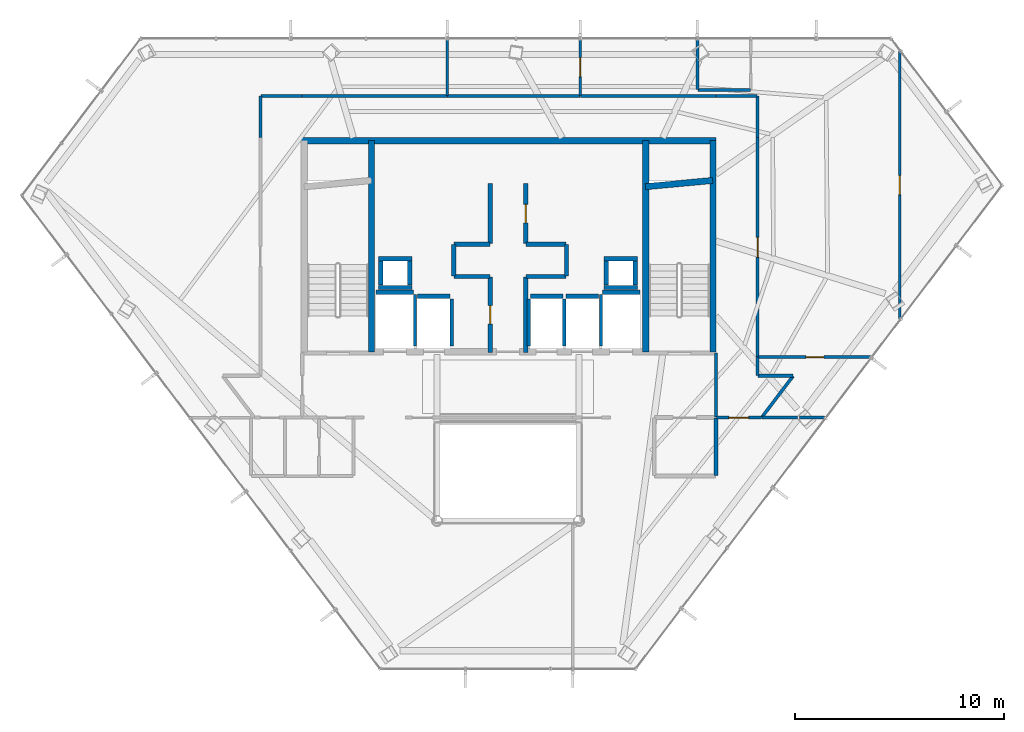
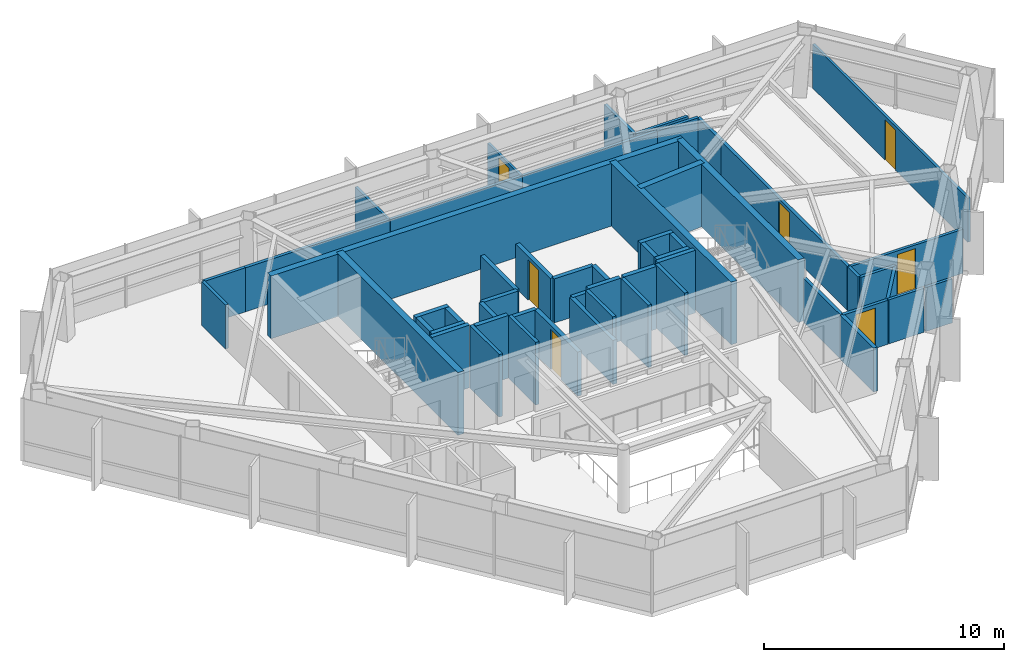
# One storey, part 25 of 27: 55 walls, 7 doors, 7 openings.
"""IFC4 building model written with IfcOpenShell, lengths in metres."""

from ifc_helpers import new_model, si_unit, direction, frame, frame_2d, origin, place, context, subcontext, project, spatial, rectangle, extrude, material, layer, layer_set, type_object, element, fill, save


model = new_model("IFC4")

# Units and contexts
model_context = context("Model", 3, precision=1e-05, world=origin(), true_north=direction((0.0, 1.0)))
body_context = subcontext(model_context, "Body", "Model", "MODEL_VIEW")
ifc_project = project(units=[si_unit("LENGTHUNIT", "METRE"), si_unit("AREAUNIT", "SQUARE_METRE"), si_unit("VOLUMEUNIT", "CUBIC_METRE"), si_unit("PLANEANGLEUNIT", "RADIAN"), si_unit("MASSUNIT", "GRAM", prefix="KILO")], contexts=[model_context])

# Site, building, storey
site_placement = place(None, origin())
site = spatial("IfcSite", under=ifc_project, at=site_placement, CompositionType="ELEMENT")
building_placement = place(site_placement, origin())
building = spatial("IfcBuilding", under=site, at=building_placement, Name="Zarrinselat Tower", CompositionType="ELEMENT")
storey_placement = place(building_placement, frame((0.0, 0.0, 225.760009765625)))
storey = spatial("IfcBuildingStorey", under=building, at=storey_placement, Name="L56", CompositionType="ELEMENT", Elevation=225.760009765625)

# Walls
ifc_material_1 = material(Name="Concrete C40/50", Category="concrete")
ifc_layer_1 = layer(ifc_material_1, 0.18994140625)
ifc_layer_set_1 = layer_set([ifc_layer_1], Name="Concrete C40/50")
wall_type_1 = type_object("IfcWallType", Name="WAL-PART-EI120", PredefinedType="PARTITIONING", material=ifc_layer_set_1)
wall_1_placement = place(storey_placement, frame((48.35009765625, 27.3701171875, 0.0), z_axis=(0.0, 0.0, 1.0), x_axis=(0.0, 1.0, 0.0)))
element("IfcWall", 1, at=wall_1_placement, inside=storey, type_object=wall_type_1, Name="L56 Partition Wall 21", PredefinedType="PARTITIONING", context=body_context, shape_type="SweptSolid", body=[
    extrude(rectangle(XDim=2.759765625, YDim=0.18994140625, at=frame_2d((1.3798828125, 0.0))), origin(), (0.0, 0.0, 1.0), 2.235107421875),
])
ifc_material_2 = material(Name="Fire-Rated Gypsum Board Partition", Category="gypsum")
ifc_layer_2 = layer(ifc_material_2, 0.14990234375)
ifc_layer_set_2 = layer_set([ifc_layer_2], Name="Fire-Rated Gypsum Board Partition")
wall_type_2 = type_object("IfcWallType", Name="WAL-PART-EI60", PredefinedType="PARTITIONING", material=ifc_layer_set_2)
wall_2_placement = place(storey_placement, frame((48.35009765625, 30.169921875, 0.0), z_axis=(0.0, 0.0, 1.0), x_axis=(0.0, 1.0, 0.0)))
element("IfcWall", 2, at=wall_2_placement, inside=storey, type_object=wall_type_2, Name="L56 Partition Wall 13", PredefinedType="PARTITIONING", context=body_context, shape_type="SweptSolid", body=[
    extrude(rectangle(XDim=3.06005859375, YDim=0.14990234375, at=frame_2d((1.530029296875, 0.0))), origin(), (0.0, 0.0, 1.0), 2.235107421875),
])

# Wall, opening, door
wall_3_placement = place(storey_placement, frame((48.3701171875, 30.14990234375, 0.0), z_axis=(0.0, 0.0, 1.0), x_axis=(1.0, 0.0, 0.0)))
wall_3 = element("IfcWall", 3, at=wall_3_placement, inside=storey, type_object=wall_type_2, Name="L56 Partition Wall 24", PredefinedType="PARTITIONING", context=body_context, shape_type="SweptSolid", body=[
    extrude(rectangle(XDim=2.155029296875, YDim=0.14990234375, at=frame_2d((1.07763671875, 0.0))), origin(), (0.0, 0.0, 1.0), 2.235107421875),
])
opening_1_placement = place(wall_3_placement, frame((0.607666015625, 0.0, 0.0)))
opening_1 = element("IfcOpeningElement", 4, at=opening_1_placement, cuts=wall_3, Name="Opening ID-04", PredefinedType="OPENING", context=body_context, shape_type="SweptSolid", body=[
    extrude(rectangle(XDim=0.93994140625, YDim=2.050048828125, at=frame_2d((0.469970703125, 1.02490234375))), frame((0.0, 0.0849609375, 0.0), z_axis=(0.0, -1.0, 0.0), x_axis=(1.0, 0.0, 0.0)), (0.0, 0.0, 1.0), 0.169921875),
])
ifc_material_3 = material(Name="Fire-Rated Gypsum Board Partition")
door_type_1 = type_object("IfcDoorType", Name="DR-INT-FD30-ENT", OperationType="NOTDEFINED", PredefinedType="DOOR", material=ifc_material_3)
door_1_placement = place(opening_1_placement, origin())
door_1 = element("IfcDoor", 5, at=door_1_placement, inside=storey, type_object=door_type_1, Name="L56 Interior Door P24", OperationType="SINGLE_SWING_RIGHT", OverallHeight=2.050048828125, OverallWidth=0.93994140625, PredefinedType="DOOR", context=body_context, shape_type="SweptSolid", body=[
    extrude(rectangle(XDim=0.93994140625, YDim=2.050048828125, at=frame_2d((0.469970703125, 1.02490234375))), frame((0.0, 0.02490234375, 0.0), z_axis=(0.0, -1.0, 0.0), x_axis=(1.0, 0.0, 0.0)), (0.0, 0.0, 1.0), 0.050048828125),
])
fill(opening_1, door_1)

# Walls
for number, where, z_axis, x_axis, name in (
    (6, (26.550048828125, 43.550048828125, 0.0), (0.0, 0.0, 1.0), (0.0, 1.0, 0.0), "L56 Partition Wall 28"),
    (7, (26.570068359375, 45.550048828125, 0.0), (0.0, 0.0, 1.0), (1.0, 0.0, 0.0), "L56 Partition Wall 29"),
):
    element("IfcWall", number, at=place(storey_placement, frame(where, z_axis=z_axis, x_axis=x_axis)), inside=storey, type_object=wall_type_2, Name=name, PredefinedType="PARTITIONING", context=body_context, shape_type="SweptSolid", body=[
        extrude(rectangle(XDim=1.97998046875, YDim=0.14990234375, at=frame_2d((0.989990234375, 0.0))), origin(), (0.0, 0.0, 1.0), 2.235107421875),
    ])
wall_4_placement = place(storey_placement, frame((28.550048828125, 45.550048828125, 0.0), z_axis=(0.0, 0.0, 1.0), x_axis=(1.0, 0.0, 0.0)))
element("IfcWall", 8, at=wall_4_placement, inside=storey, type_object=wall_type_2, Name="L56 Partition Wall 30", PredefinedType="PARTITIONING", context=body_context, shape_type="SweptSolid", body=[
    extrude(rectangle(XDim=6.945068359375, YDim=0.14990234375, at=frame_2d((3.47265625, 0.0))), origin(), (0.0, 0.0, 1.0), 2.235107421875),
])
wall_5_placement = place(storey_placement, frame((41.8603515625, 45.550048828125, 0.0), z_axis=(0.0, 0.0, 1.0), x_axis=(1.0, 0.0, 0.0)))
element("IfcWall", 9, at=wall_5_placement, inside=storey, type_object=wall_type_2, Name="L56 Partition Wall 31", PredefinedType="PARTITIONING", context=body_context, shape_type="SweptSolid", body=[
    extrude(rectangle(XDim=6.48974609375, YDim=0.14990234375, at=frame_2d((3.244873046875, 0.0))), origin(), (0.0, 0.0, 1.0), 2.235107421875),
])
for number, where, z_axis, x_axis, name in (
    (10, (48.35009765625, 45.550048828125, 0.0), (0.0, 0.0, 1.0), (1.0, 0.0, 0.0), "L56 Partition Wall 32"),
    (11, (50.35009765625, 43.550048828125, 0.0), (0.0, 0.0, 1.0), (0.0, 1.0, 0.0), "L56 Partition Wall 33"),
):
    element("IfcWall", number, at=place(storey_placement, frame(where, z_axis=z_axis, x_axis=x_axis)), inside=storey, type_object=wall_type_2, Name=name, PredefinedType="PARTITIONING", context=body_context, shape_type="SweptSolid", body=[
        extrude(rectangle(XDim=1.97998046875, YDim=0.14990234375, at=frame_2d((0.989990234375, 0.0))), origin(), (0.0, 0.0, 1.0), 2.235107421875),
    ])

# Wall, opening, door
wall_6_placement = place(storey_placement, frame((50.35009765625, 33.048583984375, 0.0), z_axis=(0.0, 0.0, 1.0), x_axis=(0.0, 1.0, 0.0)))
wall_6 = element("IfcWall", 12, at=wall_6_placement, inside=storey, type_object=wall_type_2, Name="L56 Partition Wall 34", PredefinedType="PARTITIONING", context=body_context, shape_type="SweptSolid", body=[
    extrude(rectangle(XDim=10.50146484375, YDim=0.14990234375, at=frame_2d((5.250732421875, 0.0))), origin(), (0.0, 0.0, 1.0), 2.235107421875),
])
opening_2_placement = place(wall_6_placement, frame((4.78076171875, 0.0, 0.0)))
opening_2 = element("IfcOpeningElement", 13, at=opening_2_placement, cuts=wall_6, Name="Opening ID-04", PredefinedType="OPENING", context=body_context, shape_type="SweptSolid", body=[
    extrude(rectangle(XDim=0.93994140625, YDim=2.050048828125, at=frame_2d((0.469970703125, 1.02490234375))), frame((0.0, 0.0849609375, 0.0), z_axis=(0.0, -1.0, 0.0), x_axis=(1.0, 0.0, 0.0)), (0.0, 0.0, 1.0), 0.169921875),
])
door_2_placement = place(opening_2_placement, origin())
door_2 = element("IfcDoor", 14, at=door_2_placement, inside=storey, type_object=door_type_1, Name="L56 Interior Door P34", OperationType="SINGLE_SWING_RIGHT", OverallHeight=2.050048828125, OverallWidth=0.93994140625, PredefinedType="DOOR", context=body_context, shape_type="SweptSolid", body=[
    extrude(rectangle(XDim=0.93994140625, YDim=2.050048828125, at=frame_2d((0.469970703125, 1.02490234375))), frame((0.0, 0.02490234375, 0.0), z_axis=(0.0, -1.0, 0.0), x_axis=(1.0, 0.0, 0.0)), (0.0, 0.0, 1.0), 0.050048828125),
])
fill(opening_2, door_2)

# Walls
wall_7_placement = place(storey_placement, frame((50.35009765625, 32.169921875, 0.0), z_axis=(0.0, 0.0, 1.0), x_axis=(0.0, 1.0, 0.0)))
element("IfcWall", 15, at=wall_7_placement, inside=storey, type_object=wall_type_2, Name="L56 Partition Wall 35", PredefinedType="PARTITIONING", context=body_context, shape_type="SweptSolid", body=[
    extrude(rectangle(XDim=0.86865234375, YDim=0.14990234375, at=frame_2d((0.434326171875, 0.0))), origin(), (0.0, 0.0, 1.0), 2.235107421875),
])
wall_8_placement = place(storey_placement, frame((50.3701171875, 32.14990234375, 0.0), z_axis=(0.0, 0.0, 1.0), x_axis=(1.0, 0.0, 0.0)))
element("IfcWall", 16, at=wall_8_placement, inside=storey, type_object=wall_type_2, Name="L56 Partition Wall 36", PredefinedType="PARTITIONING", context=body_context, shape_type="SweptSolid", body=[
    extrude(rectangle(XDim=1.665283203125, YDim=0.14990234375, at=frame_2d((0.83251953125, 0.0))), origin(), (0.0, 0.0, 1.0), 2.235107421875),
])
wall_9_placement = place(storey_placement, frame((50.55224609375, 30.166015625, 0.0), z_axis=(0.0, 0.0, 1.0), x_axis=(0.603869110647, 0.797083494502, 0.0)))
element("IfcWall", 17, at=wall_9_placement, inside=storey, type_object=wall_type_2, Name="L56 Partition Wall 37", PredefinedType="PARTITIONING", context=body_context, shape_type="SweptSolid", body=[
    extrude(rectangle(XDim=2.468994140625, YDim=0.14990234375, at=frame_2d((1.234375, 0.0))), origin(), (0.0, 0.0, 1.0), 2.235107421875),
])
wall_10_placement = place(storey_placement, frame((35.5048828125, 45.550048828125, 0.0), z_axis=(0.0, 0.0, 1.0), x_axis=(1.0, 0.0, 0.0)))
element("IfcWall", 18, at=wall_10_placement, inside=storey, type_object=wall_type_2, Name="L56 Partition Wall 38", PredefinedType="PARTITIONING", context=body_context, shape_type="SweptSolid", body=[
    extrude(rectangle(XDim=6.345458984375, YDim=0.14990234375, at=frame_2d((3.1728515625, 0.0))), origin(), (0.0, 0.0, 1.0), 2.235107421875),
])

# Wall, opening, door
ifc_material_4 = material(Name="Concrete C40/50", Category="concrete")
ifc_layer_3 = layer(ifc_material_4, 0.199951171875)
ifc_layer_set_3 = layer_set([ifc_layer_3], Name="Concrete C40/50")
wall_type_3 = type_object("IfcWallType", Name="WAL-PART-PLANT", PredefinedType="PARTITIONING", material=ifc_layer_set_3)
wall_11_placement = place(storey_placement, frame((37.550048828125, 33.264892578125, 0.0), z_axis=(0.0, 0.0, 1.0), x_axis=(0.0, 1.0, 0.0)))
wall_11 = element("IfcWall", 19, at=wall_11_placement, inside=storey, type_object=wall_type_3, Name="L56 Partition Wall 1", PredefinedType="PARTITIONING", context=body_context, shape_type="SweptSolid", body=[
    extrude(rectangle(XDim=3.614990234375, YDim=0.199951171875, at=frame_2d((1.8076171875, 0.0))), origin(), (0.0, 0.0, 1.0), 2.235107421875),
])
opening_3_placement = place(wall_11_placement, frame((1.367431640625, 0.0, 0.0)))
opening_3 = element("IfcOpeningElement", 20, at=opening_3_placement, cuts=wall_11, Name="Opening ID-03", PredefinedType="OPENING", context=body_context, shape_type="SweptSolid", body=[
    extrude(rectangle(XDim=0.8798828125, YDim=2.050048828125, at=frame_2d((0.43994140625, 1.02490234375))), frame((0.0, 0.10986328125, 0.0), z_axis=(0.0, -1.0, 0.0), x_axis=(1.0, 0.0, 0.0)), (0.0, 0.0, 1.0), 0.219970703125),
])
ifc_material_5 = material(Name="Steel S355J2", Category="steel")
door_type_2 = type_object("IfcDoorType", Name="DR-INT-FD60-S", OperationType="NOTDEFINED", PredefinedType="DOOR", material=ifc_material_5)
door_3_placement = place(opening_3_placement, origin())
door_3 = element("IfcDoor", 21, at=door_3_placement, inside=storey, type_object=door_type_2, Name="L56 Interior Door P1", OperationType="SINGLE_SWING_RIGHT", OverallHeight=2.050048828125, OverallWidth=0.8798828125, PredefinedType="DOOR", context=body_context, shape_type="SweptSolid", body=[
    extrude(rectangle(XDim=0.8798828125, YDim=2.050048828125, at=frame_2d((0.43994140625, 1.02490234375))), frame((0.0, 0.02490234375, 0.0), z_axis=(0.0, -1.0, 0.0), x_axis=(1.0, 0.0, 0.0)), (0.0, 0.0, 1.0), 0.050048828125),
])
fill(opening_3, door_3)

# Walls
wall_12_placement = place(storey_placement, frame((35.820068359375, 36.89990234375, 0.0), z_axis=(0.0, 0.0, 1.0), x_axis=(1.0, 0.0, 0.0)))
element("IfcWall", 22, at=wall_12_placement, inside=storey, type_object=wall_type_3, Name="L56 Partition Wall 2", PredefinedType="PARTITIONING", context=body_context, shape_type="SweptSolid", body=[
    extrude(rectangle(XDim=1.7099609375, YDim=0.199951171875, at=frame_2d((0.85498046875, 0.0))), origin(), (0.0, 0.0, 1.0), 2.235107421875),
])
wall_13_placement = place(storey_placement, frame((35.800048828125, 36.919921875, 0.0), z_axis=(0.0, 0.0, 1.0), x_axis=(0.0, 1.0, 0.0)))
element("IfcWall", 23, at=wall_13_placement, inside=storey, type_object=wall_type_3, Name="L56 Partition Wall 3", PredefinedType="PARTITIONING", context=body_context, shape_type="SweptSolid", body=[
    extrude(rectangle(XDim=1.510009765625, YDim=0.199951171875, at=frame_2d((0.7548828125, 0.0))), origin(), (0.0, 0.0, 1.0), 2.235107421875),
])
wall_14_placement = place(storey_placement, frame((35.820068359375, 38.449951171875, 0.0), z_axis=(0.0, 0.0, 1.0), x_axis=(1.0, 0.0, 0.0)))
element("IfcWall", 24, at=wall_14_placement, inside=storey, type_object=wall_type_3, Name="L56 Partition Wall 4", PredefinedType="PARTITIONING", context=body_context, shape_type="SweptSolid", body=[
    extrude(rectangle(XDim=1.7099609375, YDim=0.199951171875, at=frame_2d((0.85498046875, 0.0))), origin(), (0.0, 0.0, 1.0), 2.235107421875),
])
wall_15_placement = place(storey_placement, frame((37.550048828125, 38.469970703125, 0.0), z_axis=(0.0, 0.0, 1.0), x_axis=(0.0, 1.0, 0.0)))
element("IfcWall", 25, at=wall_15_placement, inside=storey, type_object=wall_type_3, Name="L56 Partition Wall 5", PredefinedType="PARTITIONING", context=body_context, shape_type="SweptSolid", body=[
    extrude(rectangle(XDim=2.880126953125, YDim=0.199951171875, at=frame_2d((1.43994140625, 0.0))), origin(), (0.0, 0.0, 1.0), 2.235107421875),
])

# Wall, opening, door
wall_16_placement = place(storey_placement, frame((39.25, 38.469970703125, 0.0), z_axis=(0.0, 0.0, 1.0), x_axis=(0.0, 1.0, 0.0)))
wall_16 = element("IfcWall", 26, at=wall_16_placement, inside=storey, type_object=wall_type_3, Name="L56 Partition Wall 6", PredefinedType="PARTITIONING", context=body_context, shape_type="SweptSolid", body=[
    extrude(rectangle(XDim=2.880126953125, YDim=0.199951171875, at=frame_2d((1.43994140625, 0.0))), origin(), (0.0, 0.0, 1.0), 2.235107421875),
])
opening_4_placement = place(wall_16_placement, frame((1.0, 0.0, 0.0)))
opening_4 = element("IfcOpeningElement", 27, at=opening_4_placement, cuts=wall_16, Name="Opening ID-03", PredefinedType="OPENING", context=body_context, shape_type="SweptSolid", body=[
    extrude(rectangle(XDim=0.8798828125, YDim=2.050048828125, at=frame_2d((0.43994140625, 1.02490234375))), frame((0.0, 0.10986328125, 0.0), z_axis=(0.0, -1.0, 0.0), x_axis=(1.0, 0.0, 0.0)), (0.0, 0.0, 1.0), 0.219970703125),
])
door_4_placement = place(opening_4_placement, origin())
door_4 = element("IfcDoor", 28, at=door_4_placement, inside=storey, type_object=door_type_2, Name="L56 Interior Door P6", OperationType="SINGLE_SWING_LEFT", OverallHeight=2.050048828125, OverallWidth=0.8798828125, PredefinedType="DOOR", context=body_context, shape_type="SweptSolid", body=[
    extrude(rectangle(XDim=0.8798828125, YDim=2.050048828125, at=frame_2d((0.43994140625, 1.02490234375))), frame((0.0, 0.02490234375, 0.0), z_axis=(0.0, -1.0, 0.0), x_axis=(1.0, 0.0, 0.0)), (0.0, 0.0, 1.0), 0.050048828125),
])
fill(opening_4, door_4)

# Walls
wall_17_placement = place(storey_placement, frame((39.27001953125, 38.449951171875, 0.0), z_axis=(0.0, 0.0, 1.0), x_axis=(1.0, 0.0, 0.0)))
element("IfcWall", 29, at=wall_17_placement, inside=storey, type_object=wall_type_3, Name="L56 Partition Wall 7", PredefinedType="PARTITIONING", context=body_context, shape_type="SweptSolid", body=[
    extrude(rectangle(XDim=1.909912109375, YDim=0.199951171875, at=frame_2d((0.955078125, 0.0))), origin(), (0.0, 0.0, 1.0), 2.235107421875),
])
wall_18_placement = place(storey_placement, frame((41.199951171875, 36.919921875, 0.0), z_axis=(0.0, 0.0, 1.0), x_axis=(0.0, 1.0, 0.0)))
element("IfcWall", 30, at=wall_18_placement, inside=storey, type_object=wall_type_3, Name="L56 Partition Wall 8", PredefinedType="PARTITIONING", context=body_context, shape_type="SweptSolid", body=[
    extrude(rectangle(XDim=1.510009765625, YDim=0.199951171875, at=frame_2d((0.7548828125, 0.0))), origin(), (0.0, 0.0, 1.0), 2.235107421875),
])
wall_19_placement = place(storey_placement, frame((39.27001953125, 36.89990234375, 0.0), z_axis=(0.0, 0.0, 1.0), x_axis=(1.0, 0.0, 0.0)))
element("IfcWall", 31, at=wall_19_placement, inside=storey, type_object=wall_type_3, Name="L56 Partition Wall 9", PredefinedType="PARTITIONING", context=body_context, shape_type="SweptSolid", body=[
    extrude(rectangle(XDim=1.909912109375, YDim=0.199951171875, at=frame_2d((0.955078125, 0.0))), origin(), (0.0, 0.0, 1.0), 2.235107421875),
])
wall_20_placement = place(storey_placement, frame((39.25, 33.264892578125, 0.0), z_axis=(0.0, 0.0, 1.0), x_axis=(0.0, 1.0, 0.0)))
element("IfcWall", 32, at=wall_20_placement, inside=storey, type_object=wall_type_3, Name="L56 Partition Wall 10", PredefinedType="PARTITIONING", context=body_context, shape_type="SweptSolid", body=[
    extrude(rectangle(XDim=3.614990234375, YDim=0.199951171875, at=frame_2d((1.8076171875, 0.0))), origin(), (0.0, 0.0, 1.0), 2.235107421875),
])
ifc_material_6 = material(Name="Fire-Rated Gypsum Board Partition", Category="gypsum")
ifc_layer_4 = layer(ifc_material_6, 0.1201171875)
ifc_layer_set_4 = layer_set([ifc_layer_4], Name="Fire-Rated Gypsum Board Partition")
wall_type_4 = type_object("IfcWallType", Name="WAL-PART-STD", PredefinedType="PARTITIONING", material=ifc_layer_set_4)
wall_21_placement = place(storey_placement, frame((35.5, 45.570068359375, 0.0), z_axis=(0.0, 0.0, 1.0), x_axis=(0.0, 1.0, 0.0)))
element("IfcWall", 33, at=wall_21_placement, inside=storey, type_object=wall_type_4, Name="L56 Partition Wall 51", PredefinedType="PARTITIONING", context=body_context, shape_type="SweptSolid", body=[
    extrude(rectangle(XDim=2.709228515625, YDim=0.1201171875, at=frame_2d((1.3544921875, 0.0))), origin(), (0.0, 0.0, 1.0), 2.235107421875),
])

# Wall, opening, door
wall_22_placement = place(storey_placement, frame((41.855224609375, 45.570068359375, 0.0), z_axis=(0.0, 0.0, 1.0), x_axis=(0.0, 1.0, 0.0)))
wall_22 = element("IfcWall", 34, at=wall_22_placement, inside=storey, type_object=wall_type_4, Name="L56 Partition Wall 56", PredefinedType="PARTITIONING", context=body_context, shape_type="SweptSolid", body=[
    extrude(rectangle(XDim=2.709228515625, YDim=0.1201171875, at=frame_2d((1.3544921875, 0.0))), origin(), (0.0, 0.0, 1.0), 2.235107421875),
])
opening_5_placement = place(wall_22_placement, frame((0.90478515625, 0.0, 0.0)))
opening_5 = element("IfcOpeningElement", 35, at=opening_5_placement, cuts=wall_22, Name="Opening ID-05", PredefinedType="OPENING", context=body_context, shape_type="SweptSolid", body=[
    extrude(rectangle(XDim=0.89990234375, YDim=2.050048828125, at=frame_2d((0.449951171875, 1.02490234375))), frame((0.0, 0.070068359375, 0.0), z_axis=(0.0, -1.0, 0.0), x_axis=(1.0, 0.0, 0.0)), (0.0, 0.0, 1.0), 0.14013671875),
])
ifc_material_7 = material(Name="Extruded Aluminium Alloy EN AW-6063 T6", Category="aluminium")
door_type_3 = type_object("IfcDoorType", Name="DR-INT-STD-920", OperationType="NOTDEFINED", PredefinedType="DOOR", material=ifc_material_7)
door_5_placement = place(opening_5_placement, origin())
door_5 = element("IfcDoor", 36, at=door_5_placement, inside=storey, type_object=door_type_3, Name="L56 Interior Door P56", OperationType="SINGLE_SWING_RIGHT", OverallHeight=2.050048828125, OverallWidth=0.89990234375, PredefinedType="DOOR", context=body_context, shape_type="SweptSolid", body=[
    extrude(rectangle(XDim=0.89990234375, YDim=2.050048828125, at=frame_2d((0.449951171875, 1.02490234375))), frame((0.0, 0.02490234375, 0.0), z_axis=(0.0, -1.0, 0.0), x_axis=(1.0, 0.0, 0.0)), (0.0, 0.0, 1.0), 0.050048828125),
])
fill(opening_5, door_5)

wall_23_placement = place(storey_placement, frame((57.150390625, 34.81689453125, 0.0), z_axis=(0.0, 0.0, 1.0), x_axis=(0.0, 1.0, 0.0)))
wall_23 = element("IfcWall", 37, at=wall_23_placement, inside=storey, type_object=wall_type_4, Name="L56 Partition Wall 57", PredefinedType="PARTITIONING", context=body_context, shape_type="SweptSolid", body=[
    extrude(rectangle(XDim=12.919921875, YDim=0.1201171875, at=frame_2d((6.4599609375, 0.0))), origin(), (0.0, 0.0, 1.0), 2.235107421875),
])
opening_6_placement = place(wall_23_placement, frame((6.010009765625, 0.0, 0.0)))
opening_6 = element("IfcOpeningElement", 38, at=opening_6_placement, cuts=wall_23, Name="Opening ID-05", PredefinedType="OPENING", context=body_context, shape_type="SweptSolid", body=[
    extrude(rectangle(XDim=0.89990234375, YDim=2.050048828125, at=frame_2d((0.449951171875, 1.02490234375))), frame((0.0, 0.070068359375, 0.0), z_axis=(0.0, -1.0, 0.0), x_axis=(1.0, 0.0, 0.0)), (0.0, 0.0, 1.0), 0.14013671875),
])
door_6_placement = place(opening_6_placement, origin())
door_6 = element("IfcDoor", 39, at=door_6_placement, inside=storey, type_object=door_type_3, Name="L56 Interior Door P57", OperationType="SINGLE_SWING_LEFT", OverallHeight=2.050048828125, OverallWidth=0.89990234375, PredefinedType="DOOR", context=body_context, shape_type="SweptSolid", body=[
    extrude(rectangle(XDim=0.89990234375, YDim=2.050048828125, at=frame_2d((0.449951171875, 1.02490234375))), frame((0.0, 0.02490234375, 0.0), z_axis=(0.0, -1.0, 0.0), x_axis=(1.0, 0.0, 0.0)), (0.0, 0.0, 1.0), 0.050048828125),
])
fill(opening_6, door_6)

# Walls
ifc_material_8 = material(Name="Fire-Rated Gypsum Board Partition", Category="gypsum")
ifc_layer_5 = layer(ifc_material_8, 0.135009765625)
ifc_layer_set_5 = layer_set([ifc_layer_5], Name="Fire-Rated Gypsum Board Partition")
wall_type_5 = type_object("IfcWallType", Name="WAL-PART-WET", PredefinedType="PARTITIONING", material=ifc_layer_set_5)
wall_24_placement = place(storey_placement, frame((50.560302734375, 30.14990234375, 0.0), z_axis=(0.0, 0.0, 1.0), x_axis=(1.0, 0.0, 0.0)))
element("IfcWall", 40, at=wall_24_placement, inside=storey, type_object=wall_type_5, Name="L56 Partition Wall 49", PredefinedType="PARTITIONING", context=body_context, shape_type="SweptSolid", body=[
    extrude(rectangle(XDim=1.69091796875, YDim=0.135009765625, at=frame_2d((0.845458984375, 0.0))), origin(), (0.0, 0.0, 1.0), 2.235107421875),
])
wall_25_placement = place(storey_placement, frame((52.348876953125, 30.14990234375, 0.0), z_axis=(0.0, 0.0, 1.0), x_axis=(1.0, 0.0, 0.0)))
element("IfcWall", 41, at=wall_25_placement, inside=storey, type_object=wall_type_5, Name="L56 Partition Wall 50", PredefinedType="PARTITIONING", context=body_context, shape_type="SweptSolid", body=[
    extrude(rectangle(XDim=1.262451171875, YDim=0.135009765625, at=frame_2d((0.63134765625, 0.0))), origin(), (0.0, 0.0, 1.0), 2.235107421875),
])

# Wall, opening, door
wall_26_placement = place(storey_placement, frame((50.3701171875, 33.04345703125, 0.0), z_axis=(0.0, 0.0, 1.0), x_axis=(1.0, 0.0, 0.0)))
wall_26 = element("IfcWall", 42, at=wall_26_placement, inside=storey, type_object=wall_type_5, Name="L56 Partition Wall 52", PredefinedType="PARTITIONING", context=body_context, shape_type="SweptSolid", body=[
    extrude(rectangle(XDim=5.433349609375, YDim=0.135009765625, at=frame_2d((2.716796875, 0.0))), origin(), (0.0, 0.0, 1.0), 2.235107421875),
])
opening_7_placement = place(wall_26_placement, frame((2.28662109375, 0.0, 0.0)))
opening_7 = element("IfcOpeningElement", 43, at=opening_7_placement, cuts=wall_26, Name="Opening ID-06", PredefinedType="OPENING", context=body_context, shape_type="SweptSolid", body=[
    extrude(rectangle(XDim=0.860107421875, YDim=2.050048828125, at=frame_2d((0.43017578125, 1.02490234375))), frame((0.0, 0.077392578125, 0.0), z_axis=(0.0, -1.0, 0.0), x_axis=(1.0, 0.0, 0.0)), (0.0, 0.0, 1.0), 0.155029296875),
])
ifc_material_9 = material(Name="Extruded Aluminium Alloy EN AW-6063 T6", Category="aluminium")
door_type_4 = type_object("IfcDoorType", Name="DR-INT-WET-900", OperationType="NOTDEFINED", PredefinedType="DOOR", material=ifc_material_9)
door_7_placement = place(opening_7_placement, origin())
door_7 = element("IfcDoor", 44, at=door_7_placement, inside=storey, type_object=door_type_4, Name="L56 Interior Door P52", OperationType="SINGLE_SWING_RIGHT", OverallHeight=2.050048828125, OverallWidth=0.860107421875, PredefinedType="DOOR", context=body_context, shape_type="SweptSolid", body=[
    extrude(rectangle(XDim=0.860107421875, YDim=2.050048828125, at=frame_2d((0.43017578125, 1.02490234375))), frame((0.0, 0.02490234375, 0.0), z_axis=(0.0, -1.0, 0.0), x_axis=(1.0, 0.0, 0.0)), (0.0, 0.0, 1.0), 0.050048828125),
])
fill(opening_7, door_7)

# Walls
wall_27_placement = place(storey_placement, frame((47.46533203125, 45.8544921875, 0.0), z_axis=(0.0, 0.0, 1.0), x_axis=(0.0, 1.0, 0.0)))
element("IfcWall", 45, at=wall_27_placement, inside=storey, type_object=wall_type_5, Name="L56 Partition Wall 53", PredefinedType="PARTITIONING", context=body_context, shape_type="SweptSolid", body=[
    extrude(rectangle(XDim=2.4248046875, YDim=0.135009765625, at=frame_2d((1.21240234375, 0.0))), origin(), (0.0, 0.0, 1.0), 2.235107421875),
])
wall_28_placement = place(storey_placement, frame((47.4853515625, 45.83447265625, 0.0), z_axis=(0.0, 0.0, 1.0), x_axis=(1.0, 0.0, 0.0)))
element("IfcWall", 46, at=wall_28_placement, inside=storey, type_object=wall_type_5, Name="L56 Partition Wall 54", PredefinedType="PARTITIONING", context=body_context, shape_type="SweptSolid", body=[
    extrude(rectangle(XDim=2.510009765625, YDim=0.135009765625, at=frame_2d((1.2548828125, 0.0))), origin(), (0.0, 0.0, 1.0), 2.235107421875),
])
ifc_material_10 = material(Name="Concrete C40/50", Category="concrete")
ifc_layer_6 = layer(ifc_material_10, 0.2099609375)
ifc_layer_set_6 = layer_set([ifc_layer_6], Name="Concrete C40/50")
wall_type_6 = type_object("IfcWallType", Name="WAL-SHAFT-210", PredefinedType="SOLIDWALL", material=ifc_layer_set_6)
wall_29_placement = place(storey_placement, frame((32.080078125, 36.155029296875, 0.0), z_axis=(0.0, 0.0, 1.0), x_axis=(1.0, 0.0, 0.0)))
element("IfcWall", 47, at=wall_29_placement, inside=storey, type_object=wall_type_6, Name="L56 Lift FFL1 North Shaft Wall", PredefinedType="SOLIDWALL", context=body_context, shape_type="SweptSolid", body=[
    extrude(rectangle(XDim=1.7998046875, YDim=0.2099609375, at=frame_2d((0.89990234375, 0.0))), origin(), (0.0, 0.0, 1.0), 3.179931640625),
])
wall_30_placement = place(storey_placement, frame((33.949951171875, 33.580078125, 0.0), z_axis=(0.0, 0.0, 1.0), x_axis=(0.0, 1.0, 0.0)))
element("IfcWall", 48, at=wall_30_placement, inside=storey, type_object=wall_type_6, Name="L56 Lift FFL1 E Shaft Wall", PredefinedType="SOLIDWALL", context=body_context, shape_type="SweptSolid", body=[
    extrude(rectangle(XDim=2.449951171875, YDim=0.159912109375, at=frame_2d((1.22509765625, 0.0))), origin(), (0.0, 0.0, 1.0), 3.179931640625),
])
wall_31_placement = place(storey_placement, frame((42.919921875, 36.155029296875, 0.0), z_axis=(0.0, 0.0, 1.0), x_axis=(1.0, 0.0, 0.0)))
element("IfcWall", 49, at=wall_31_placement, inside=storey, type_object=wall_type_6, Name="L56 Lift FFL2 North Shaft Wall", PredefinedType="SOLIDWALL", context=body_context, shape_type="SweptSolid", body=[
    extrude(rectangle(XDim=1.800048828125, YDim=0.2099609375, at=frame_2d((0.89990234375, 0.0))), origin(), (0.0, 0.0, 1.0), 3.179931640625),
])
wall_32_placement = place(storey_placement, frame((42.85009765625, 33.580078125, 0.0), z_axis=(0.0, 0.0, 1.0), x_axis=(0.0, 1.0, 0.0)))
element("IfcWall", 50, at=wall_32_placement, inside=storey, type_object=wall_type_6, Name="L56 Lift FFL2 W Shaft Wall", PredefinedType="SOLIDWALL", context=body_context, shape_type="SweptSolid", body=[
    extrude(rectangle(XDim=2.449951171875, YDim=0.159912109375, at=frame_2d((1.22509765625, 0.0))), origin(), (0.0, 0.0, 1.0), 3.179931640625),
])
wall_33_placement = place(storey_placement, frame((39.469970703125, 35.955078125, 0.0), z_axis=(0.0, 0.0, 1.0), x_axis=(1.0, 0.0, 0.0)))
element("IfcWall", 51, at=wall_33_placement, inside=storey, type_object=wall_type_6, Name="L56 Lift PL8 North Shaft Wall", PredefinedType="SOLIDWALL", context=body_context, shape_type="SweptSolid", body=[
    extrude(rectangle(XDim=1.56005859375, YDim=0.2099609375, at=frame_2d((0.780029296875, 0.0))), origin(), (0.0, 0.0, 1.0), 3.179931640625),
])
for number, where, z_axis, x_axis, name in (
    (52, (39.39990234375, 33.580078125, 0.0), (0.0, 0.0, 1.0), (0.0, 1.0, 0.0), "L56 Lift PL8 W Shaft Wall"),
    (53, (41.10009765625, 33.580078125, 0.0), (0.0, 0.0, 1.0), (0.0, 1.0, 0.0), "L56 Lift PL8 E Shaft Wall"),
):
    element("IfcWall", number, at=place(storey_placement, frame(where, z_axis=z_axis, x_axis=x_axis)), inside=storey, type_object=wall_type_6, Name=name, PredefinedType="SOLIDWALL", context=body_context, shape_type="SweptSolid", body=[
        extrude(rectangle(XDim=2.25, YDim=0.159912109375, at=frame_2d((1.125, 0.0))), origin(), (0.0, 0.0, 1.0), 3.179931640625),
    ])
wall_34_placement = place(storey_placement, frame((41.169921875, 35.955078125, 0.0), z_axis=(0.0, 0.0, 1.0), x_axis=(1.0, 0.0, 0.0)))
element("IfcWall", 54, at=wall_34_placement, inside=storey, type_object=wall_type_6, Name="L56 Lift PL9 North Shaft Wall", PredefinedType="SOLIDWALL", context=body_context, shape_type="SweptSolid", body=[
    extrude(rectangle(XDim=1.56005859375, YDim=0.2099609375, at=frame_2d((0.780029296875, 0.0))), origin(), (0.0, 0.0, 1.0), 3.179931640625),
])
wall_35_placement = place(storey_placement, frame((34.070068359375, 35.955078125, 0.0), z_axis=(0.0, 0.0, 1.0), x_axis=(1.0, 0.0, 0.0)))
element("IfcWall", 55, at=wall_35_placement, inside=storey, type_object=wall_type_6, Name="L56 Lift PL10 North Shaft Wall", PredefinedType="SOLIDWALL", context=body_context, shape_type="SweptSolid", body=[
    extrude(rectangle(XDim=1.559814453125, YDim=0.2099609375, at=frame_2d((0.77978515625, 0.0))), origin(), (0.0, 0.0, 1.0), 3.179931640625),
])
wall_36_placement = place(storey_placement, frame((35.699951171875, 33.580078125, 0.0), z_axis=(0.0, 0.0, 1.0), x_axis=(0.0, 1.0, 0.0)))
element("IfcWall", 56, at=wall_36_placement, inside=storey, type_object=wall_type_6, Name="L56 Lift PL10 E Shaft Wall", PredefinedType="SOLIDWALL", context=body_context, shape_type="SweptSolid", body=[
    extrude(rectangle(XDim=2.25, YDim=0.159912109375, at=frame_2d((1.125, 0.0))), origin(), (0.0, 0.0, 1.0), 3.179931640625),
])
for number, where, z_axis, x_axis, name in (
    (57, (32.2099609375, 36.375, 0.0), (0.0, 0.0, 1.0), (1.0, 0.0, 0.0), "L56 Core Riser RSR-W S Shaft Wall"),
    (58, (32.2099609375, 37.7451171875, 0.0), (0.0, 0.0, 1.0), (1.0, 0.0, 0.0), "L56 Core Riser RSR-W N Shaft Wall"),
):
    element("IfcWall", number, at=place(storey_placement, frame(where, z_axis=z_axis, x_axis=x_axis)), inside=storey, type_object=wall_type_6, Name=name, PredefinedType="SOLIDWALL", context=body_context, shape_type="SweptSolid", body=[
        extrude(rectangle(XDim=1.60009765625, YDim=0.2099609375, at=frame_2d((0.800048828125, 0.0))), origin(), (0.0, 0.0, 1.0), 3.179931640625),
    ])
for number, where, z_axis, x_axis, name in (
    (59, (32.31494140625, 36.485107421875, 0.0), (0.0, 0.0, 1.0), (0.0, 1.0, 0.0), "L56 Core Riser RSR-W W Shaft Wall"),
    (60, (33.705078125, 36.485107421875, 0.0), (0.0, 0.0, 1.0), (0.0, 1.0, 0.0), "L56 Core Riser RSR-W E Shaft Wall"),
):
    element("IfcWall", number, at=place(storey_placement, frame(where, z_axis=z_axis, x_axis=x_axis)), inside=storey, type_object=wall_type_6, Name=name, PredefinedType="SOLIDWALL", context=body_context, shape_type="SweptSolid", body=[
        extrude(rectangle(XDim=1.14990234375, YDim=0.2099609375, at=frame_2d((0.574951171875, 0.0))), origin(), (0.0, 0.0, 1.0), 3.179931640625),
    ])
for number, where, z_axis, x_axis, name in (
    (61, (42.989990234375, 36.375, 0.0), (0.0, 0.0, 1.0), (1.0, 0.0, 0.0), "L56 Core Riser RSR-E S Shaft Wall"),
    (62, (42.989990234375, 37.7451171875, 0.0), (0.0, 0.0, 1.0), (1.0, 0.0, 0.0), "L56 Core Riser RSR-E N Shaft Wall"),
):
    element("IfcWall", number, at=place(storey_placement, frame(where, z_axis=z_axis, x_axis=x_axis)), inside=storey, type_object=wall_type_6, Name=name, PredefinedType="SOLIDWALL", context=body_context, shape_type="SweptSolid", body=[
        extrude(rectangle(XDim=1.60009765625, YDim=0.2099609375, at=frame_2d((0.800048828125, 0.0))), origin(), (0.0, 0.0, 1.0), 3.179931640625),
    ])
for number, where, z_axis, x_axis, name in (
    (63, (43.094970703125, 36.485107421875, 0.0), (0.0, 0.0, 1.0), (0.0, 1.0, 0.0), "L56 Core Riser RSR-E W Shaft Wall"),
    (64, (44.485107421875, 36.485107421875, 0.0), (0.0, 0.0, 1.0), (0.0, 1.0, 0.0), "L56 Core Riser RSR-E E Shaft Wall"),
):
    element("IfcWall", number, at=place(storey_placement, frame(where, z_axis=z_axis, x_axis=x_axis)), inside=storey, type_object=wall_type_6, Name=name, PredefinedType="SOLIDWALL", context=body_context, shape_type="SweptSolid", body=[
        extrude(rectangle(XDim=1.14990234375, YDim=0.2099609375, at=frame_2d((0.574951171875, 0.0))), origin(), (0.0, 0.0, 1.0), 3.179931640625),
    ])
ifc_material_11 = material(Name="Concrete C40/50", Category="concrete")
ifc_layer_7 = layer(ifc_material_11, 0.300048828125)
ifc_layer_set_7 = layer_set([ifc_layer_7], Name="Concrete C40/50")
wall_type_7 = type_object("IfcWallType", Name="WAL-SHEAR-300", PredefinedType="SHEAR", material=ifc_layer_set_7)
wall_37_placement = place(storey_placement, frame((28.5, 43.39990234375, 0.0), z_axis=(0.0, 0.0, 1.0), x_axis=(1.0, 0.0, 0.0)))
element("IfcWall", 65, at=wall_37_placement, inside=storey, type_object=wall_type_7, Name="L56 North Core Shear Wall", PredefinedType="SHEAR", context=body_context, shape_type="SweptSolid", body=[
    extrude(rectangle(XDim=19.860107421875, YDim=0.300048828125, at=frame_2d((9.93017578125, 0.0))), origin(), (0.0, 0.0, 1.0), 3.179931640625),
])
for number, where, z_axis, x_axis, name in (
    (66, (31.8701171875, 33.300048828125, 0.0), (0.0, 0.0, 1.0), (0.0, 1.0, 0.0), "L56 Core Shear Wall ST1E"),
    (67, (44.989990234375, 33.300048828125, 0.0), (0.0, 0.0, 1.0), (0.0, 1.0, 0.0), "L56 Core Shear Wall ST2W"),
    (68, (48.2099609375, 33.300048828125, 0.0), (0.0, 0.0, 1.0), (0.0, 1.0, 0.0), "L56 Core Shear Wall E"),
):
    element("IfcWall", number, at=place(storey_placement, frame(where, z_axis=z_axis, x_axis=x_axis)), inside=storey, type_object=wall_type_7, Name=name, PredefinedType="SHEAR", context=body_context, shape_type="SweptSolid", body=[
        extrude(rectangle(XDim=10.099853515625, YDim=0.300048828125, at=frame_2d((5.0498046875, 0.0))), origin(), (0.0, 0.0, 1.0), 3.179931640625),
    ])
wall_38_placement = place(storey_placement, frame((44.97998046875, 41.199951171875, 0.0), z_axis=(0.0, 0.0, 1.0), x_axis=(0.995686468965, 0.09278176286, 0.0)))
element("IfcWall", 69, at=wall_38_placement, inside=storey, type_object=wall_type_7, Name="L56 Stair 2 North Shaft Wall", PredefinedType="SHEAR", context=body_context, shape_type="SweptSolid", body=[
    extrude(rectangle(XDim=3.23388671875, YDim=0.300048828125, at=frame_2d((1.616943359375, 0.0))), origin(), (0.0, 0.0, 1.0), 3.179931640625),
])

save(model, "model.ifc")
